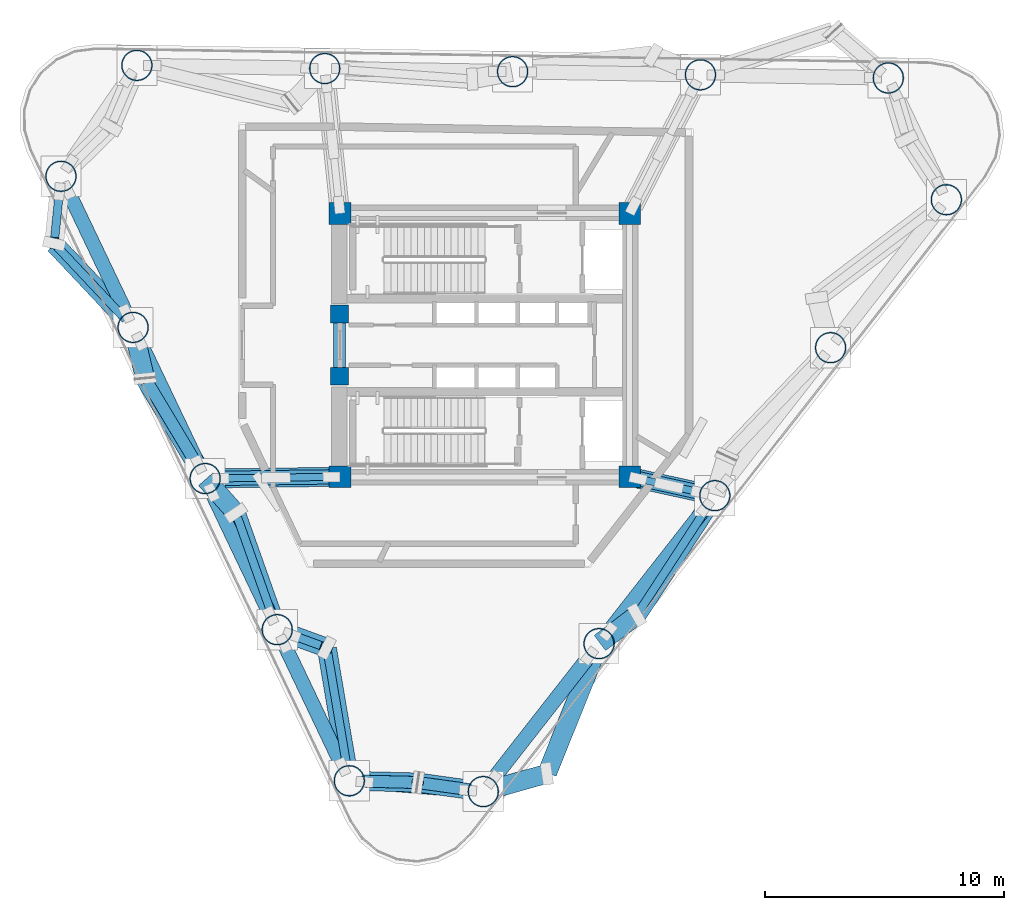
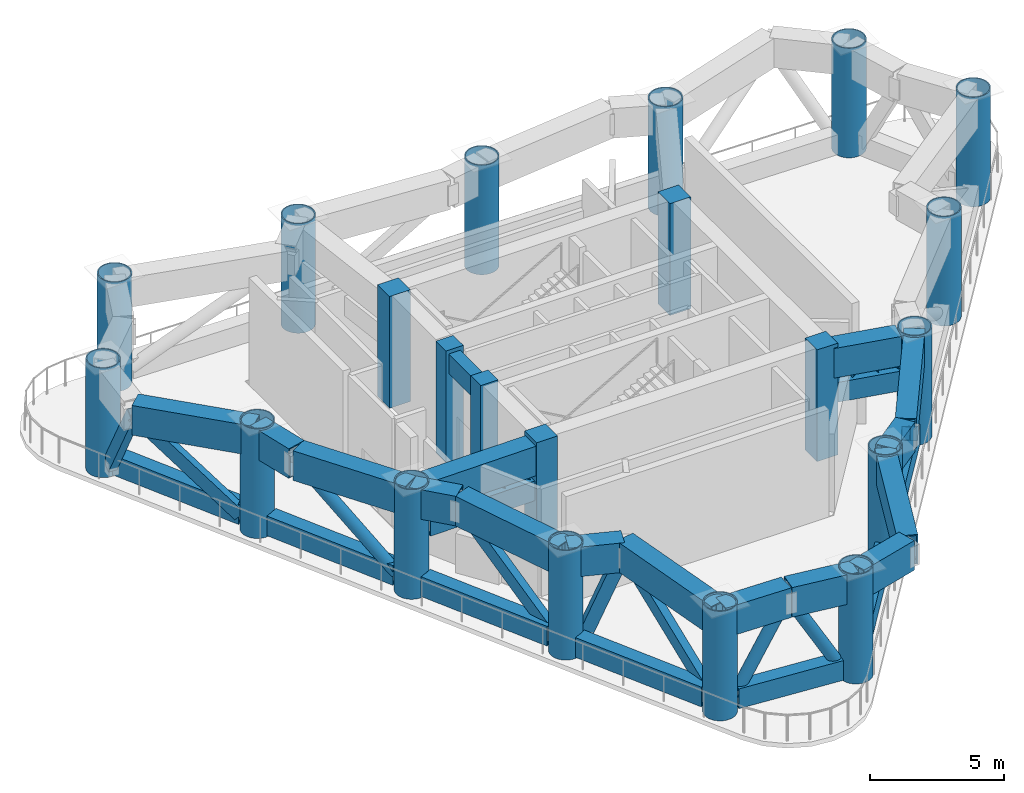
# One storey, part 1 of 9: 22 members, 21 columns, 16 beams.
"""IFC4 building model written with IfcOpenShell, lengths in metres."""

from ifc_helpers import new_model, si_unit, direction, frame, origin, origin_2d, place, context, subcontext, project, spatial, rectangle, hollow_rectangle, hollow_circle, i_section, extrude, source, transform, mapped, material, material_profile, profile_set, type_object, element, save


model = new_model("IFC4")

# Units and contexts
model_context = context("Model", 3, precision=1e-05, world=origin(), true_north=direction((0.0, 1.0)))
body_context = subcontext(model_context, "Body", "Model", "MODEL_VIEW")
ifc_project = project(units=[si_unit("LENGTHUNIT", "METRE"), si_unit("AREAUNIT", "SQUARE_METRE"), si_unit("VOLUMEUNIT", "CUBIC_METRE"), si_unit("PLANEANGLEUNIT", "RADIAN"), si_unit("MASSUNIT", "GRAM", prefix="KILO")], contexts=[model_context])

# Site, building, storey
site_placement = place(None, origin())
site = spatial("IfcSite", under=ifc_project, at=site_placement, CompositionType="ELEMENT")
building_placement = place(site_placement, origin())
building = spatial("IfcBuilding", under=site, at=building_placement, Name="Yunling Apex Tower", CompositionType="ELEMENT")
storey_placement = place(building_placement, frame((0.0, 0.0, 153.64990234375)))
storey = spatial("IfcBuildingStorey", under=building, at=storey_placement, Name="RF4", CompositionType="ELEMENT", Elevation=153.64990234375)

# Columns
ifc_material_1 = material(Name="Concrete C60", Category="concrete")
ifc_material_profile_1 = material_profile(ifc_material_1, rectangle(XDim=0.89990234375, YDim=0.89990234375, at=origin_2d()))
ifc_profile_set_1 = profile_set([ifc_material_profile_1], Name="Concrete C60")
column_type_1 = type_object("IfcColumnType", Name="PC-SRC-3", PredefinedType="COLUMN", material=ifc_profile_set_1)
shared_shape_1 = source(origin(), body_context, "Body", "SweptSolid", [
    extrude(rectangle(XDim=0.89990234375, YDim=0.89990234375, at=origin_2d()), origin(), (0.0, 0.0, 1.0), 5.10009765625),
])
for number, where, z_axis, x_axis, name in (
    (1, (-6.050048828125, -5.5, 0.0), (0.0, 0.0, 1.0), (1.0, 0.0, 0.0), "RF4 Core Spine Column CC-SW"),
    (2, (6.050048828125, -5.5, 0.0), (0.0, 0.0, 1.0), (1.0, 0.0, 0.0), "RF4 Core Spine Column CC-SE"),
    (3, (6.050048828125, 5.5, 0.0), (0.0, 0.0, 1.0), (1.0, 0.0, 0.0), "RF4 Core Spine Column CC-NE"),
    (4, (-6.050048828125, 5.5, 0.0), (0.0, 0.0, 1.0), (1.0, 0.0, 0.0), "RF4 Core Spine Column CC-NW"),
):
    element("IfcColumn", number, at=place(storey_placement, frame(where, z_axis=z_axis, x_axis=x_axis)), inside=storey, type_object=column_type_1, Name=name, PredefinedType="COLUMN", context=body_context, shape_type="MappedRepresentation", body=[
        mapped(shared_shape_1, transform((0.0, 0.0, 0.0), scale=1.0)),
    ])
ifc_material_2 = material(Name="Concrete C50", Category="concrete")
ifc_material_profile_2 = material_profile(ifc_material_2, rectangle(XDim=0.75, YDim=0.75, at=origin_2d()))
ifc_profile_set_2 = profile_set([ifc_material_profile_2], Name="Concrete C50")
column_type_2 = type_object("IfcColumnType", Name="PC-SRC-4", PredefinedType="COLUMN", material=ifc_profile_set_2)
shared_shape_2 = source(origin(), body_context, "Body", "SweptSolid", [
    extrude(rectangle(XDim=0.75, YDim=0.75, at=origin_2d()), origin(), (0.0, 0.0, 1.0), 5.10009765625),
])
for number, where, z_axis, x_axis, name in (
    (5, (-6.074951171875, -1.300048828125, 0.0), (0.0, 0.0, 1.0), (1.0, 0.0, 0.0), "RF4 Core West Portal Jamb Column S"),
    (6, (-6.074951171875, 1.300048828125, 0.0), (0.0, 0.0, 1.0), (1.0, 0.0, 0.0), "RF4 Core West Portal Jamb Column N"),
):
    element("IfcColumn", number, at=place(storey_placement, frame(where, z_axis=z_axis, x_axis=x_axis)), inside=storey, type_object=column_type_2, Name=name, PredefinedType="COLUMN", context=body_context, shape_type="MappedRepresentation", body=[
        mapped(shared_shape_2, transform((0.0, 0.0, 0.0), scale=1.0)),
    ])
ifc_material_3 = material(Name="Steel Q390GJC", Category="steel")
ifc_material_profile_3 = material_profile(ifc_material_3, hollow_circle(Radius=0.64990234375, WallThickness=0.044921875, at=origin_2d()))
ifc_profile_set_3 = profile_set([ifc_material_profile_3], Name="Steel Q390GJC")
column_type_3 = type_object("IfcColumnType", Name="MC-CFST-3", PredefinedType="COLUMN", material=ifc_profile_set_3)
shared_shape_3 = source(origin(), body_context, "Body", "SweptSolid", [
    extrude(hollow_circle(Radius=0.64990234375, WallThickness=0.044921875, at=origin_2d()), origin(), (0.0, 0.0, 1.0), 5.0),
])
for number, where, z_axis, x_axis, name in (
    (7, (-0.06396484375, -18.654541015625, 0.0), (0.0, 0.0, 1.0), (1.0, 0.0, 0.0), "RF4 Lower-Block CFST Column P01"),
    (8, (4.773193359375, -12.471923828125, 0.0), (0.0, 0.0, 1.0), (1.0, 0.0, 0.0), "RF4 Lower-Block CFST Column P02"),
    (9, (9.610595703125, -6.289306640625, 0.0), (0.0, 0.0, 1.0), (1.0, 0.0, 0.0), "RF4 Lower-Block CFST Column P03"),
    (10, (14.447998046875, -0.106689453125, 0.0), (0.0, 0.0, 1.0), (1.0, 0.0, 0.0), "RF4 Lower-Block CFST Column P04"),
    (11, (19.28515625, 6.075927734375, 0.0), (0.0, 0.0, 1.0), (1.0, 0.0, 0.0), "RF4 Lower-Block CFST Column P05"),
    (12, (16.8583984375, 11.163818359375, 0.0), (0.0, 0.0, 1.0), (1.0, 0.0, 0.0), "RF4 Lower-Block CFST Column P06"),
    (13, (9.009521484375, 11.295166015625, 0.0), (0.0, 0.0, 1.0), (1.0, 0.0, 0.0), "RF4 Lower-Block CFST Column P07"),
    (14, (1.160400390625, 11.4267578125, 0.0), (0.0, 0.0, 1.0), (1.0, 0.0, 0.0), "RF4 Lower-Block CFST Column P08"),
    (15, (-6.6884765625, 11.558349609375, 0.0), (0.0, 0.0, 1.0), (1.0, 0.0, 0.0), "RF4 Lower-Block CFST Column P09"),
    (16, (-14.53759765625, 11.68994140625, 0.0), (0.0, 0.0, 1.0), (1.0, 0.0, 0.0), "RF4 Lower-Block CFST Column P10"),
    (17, (-17.70849609375, 7.0546875, 0.0), (0.0, 0.0, 1.0), (1.0, 0.0, 0.0), "RF4 Lower-Block CFST Column P11"),
    (18, (-14.69677734375, 0.740478515625, 0.0), (0.0, 0.0, 1.0), (1.0, 0.0, 0.0), "RF4 Lower-Block CFST Column P12"),
    (19, (-11.685302734375, -5.573486328125, 0.0), (0.0, 0.0, 1.0), (1.0, 0.0, 0.0), "RF4 Lower-Block CFST Column P13"),
    (20, (-8.673583984375, -11.8876953125, 0.0), (0.0, 0.0, 1.0), (1.0, 0.0, 0.0), "RF4 Lower-Block CFST Column P14"),
    (21, (-5.661865234375, -18.201904296875, 0.0), (0.0, 0.0, 1.0), (1.0, 0.0, 0.0), "RF4 Lower-Block CFST Column P15"),
):
    element("IfcColumn", number, at=place(storey_placement, frame(where, z_axis=z_axis, x_axis=x_axis)), inside=storey, type_object=column_type_3, Name=name, PredefinedType="COLUMN", context=body_context, shape_type="MappedRepresentation", body=[
        mapped(shared_shape_3, transform((0.0, 0.0, 0.0), scale=1.0)),
    ])

# Beam
ifc_material_profile_4 = material_profile(ifc_material_2, rectangle(XDim=0.5, YDim=0.89990234375, at=origin_2d()))
ifc_profile_set_4 = profile_set([ifc_material_profile_4], Name="Concrete C50")
beam_type_1 = type_object("IfcBeamType", Name="BC-CPL-2", PredefinedType="BEAM", material=ifc_profile_set_4)
shared_shape_4 = source(origin(), body_context, "Body", "SweptSolid", [
    extrude(rectangle(XDim=0.5, YDim=0.89990234375, at=origin_2d()), origin(), (0.0, 0.0, 1.0), 2.5),
])
beam_1_placement = place(storey_placement, frame((-6.074951171875, -1.25, 4.47021484375), z_axis=(0.0, 1.0, 0.0), x_axis=(-1.0, 0.0, 0.0)))
element("IfcBeam", 22, at=beam_1_placement, inside=storey, type_object=beam_type_1, Name="RF4 Core West Portal Coupling Beam", PredefinedType="BEAM", context=body_context, shape_type="MappedRepresentation", body=[
    mapped(shared_shape_4, transform((0.0, 0.0, 0.0), scale=1.0)),
])

# Members
ifc_material_profile_5 = material_profile(ifc_material_3, hollow_rectangle(XDim=0.60009765625, YDim=0.89990234375, WallThickness=0.0419921875, at=origin_2d()))
ifc_profile_set_5 = profile_set([ifc_material_profile_5], Name="Steel Q390GJC")
member_type_1 = type_object("IfcMemberType", Name="BT-CHD-1", PredefinedType="CHORD", material=ifc_profile_set_5)
shared_shape_5 = source(origin(), body_context, "Body", "SweptSolid", [
    extrude(hollow_rectangle(XDim=0.60009765625, YDim=0.89990234375, WallThickness=0.0419921875, at=origin_2d()), origin(), (0.0, 0.0, 1.0), 6.566162109375),
])
for number, where, z_axis, x_axis, name in (
    (23, (0.33154296875, -18.14892578125, 0.550048828125), (0.616211009366, 0.787581101815, 0.0), (-0.787581101815, 0.616211009366, 0.0), "RF4 Belt-Truss Bottom Chord 1"),
    (24, (5.1689453125, -11.96630859375, 0.550048828125), (0.616211009366, 0.787581101815, 0.0), (-0.787581101815, 0.616211009366, 0.0), "RF4 Belt-Truss Bottom Chord 2"),
):
    element("IfcMember", number, at=place(storey_placement, frame(where, z_axis=z_axis, x_axis=x_axis)), inside=storey, type_object=member_type_1, Name=name, PredefinedType="CHORD", context=body_context, shape_type="MappedRepresentation", body=[
        mapped(shared_shape_5, transform((0.0, 0.0, 0.0), scale=1.0)),
    ])
shared_shape_6 = source(origin(), body_context, "Body", "SweptSolid", [
    extrude(hollow_rectangle(XDim=0.60009765625, YDim=0.89990234375, WallThickness=0.0419921875, at=origin_2d()), origin(), (0.0, 0.0, 1.0), 5.711669921875),
])
for number, where, z_axis, x_axis, name in (
    (25, (-17.43212890625, 6.475341796875, 0.550048828125), (0.430517526702, -0.90258221742, 0.0), (0.90258221742, 0.430517526702, 0.0), "RF4 Belt-Truss Bottom Chord 11"),
    (26, (-14.42041015625, 0.1611328125, 0.550048828125), (0.430482704146, -0.902598826407, 0.0), (0.902598826407, 0.430482704146, 0.0), "RF4 Belt-Truss Bottom Chord 12"),
):
    element("IfcMember", number, at=place(storey_placement, frame(where, z_axis=z_axis, x_axis=x_axis)), inside=storey, type_object=member_type_1, Name=name, PredefinedType="CHORD", context=body_context, shape_type="MappedRepresentation", body=[
        mapped(shared_shape_6, transform((0.0, 0.0, 0.0), scale=1.0)),
    ])
shared_shape_7 = source(origin(), body_context, "Body", "SweptSolid", [
    extrude(hollow_rectangle(XDim=0.60009765625, YDim=0.89990234375, WallThickness=0.0419921875, at=origin_2d()), origin(), (0.0, 0.0, 1.0), 5.71142578125),
])
for number, where, z_axis, x_axis, name in (
    (27, (-11.40869140625, -6.153076171875, 0.550048828125), (0.430499313335, -0.902590904684, 0.0), (0.902590904684, 0.430499313335, 0.0), "RF4 Belt-Truss Bottom Chord 13"),
    (28, (-8.397216796875, -12.46728515625, 0.550048828125), (0.430534136624, -0.902574294561, 0.0), (0.902574294561, 0.430534136624, 0.0), "RF4 Belt-Truss Bottom Chord 14"),
):
    element("IfcMember", number, at=place(storey_placement, frame(where, z_axis=z_axis, x_axis=x_axis)), inside=storey, type_object=member_type_1, Name=name, PredefinedType="CHORD", context=body_context, shape_type="MappedRepresentation", body=[
        mapped(shared_shape_7, transform((0.0, 0.0, 0.0), scale=1.0)),
    ])
shared_shape_8 = source(origin(), body_context, "Body", "SweptSolid", [
    extrude(hollow_rectangle(XDim=0.60009765625, YDim=0.89990234375, WallThickness=0.0419921875, at=origin_2d()), origin(), (0.0, 0.0, 1.0), 4.332275390625),
])
member_1_placement = place(storey_placement, frame((-5.02197265625, -18.253662109375, 0.550048828125), z_axis=(0.996747547855, -0.080587380191, 0.0), x_axis=(0.080587380191, 0.996747547855, 0.0)))
element("IfcMember", 29, at=member_1_placement, inside=storey, type_object=member_type_1, Name="RF4 Belt-Truss Bottom Chord 15", PredefinedType="CHORD", context=body_context, shape_type="MappedRepresentation", body=[
    mapped(shared_shape_8, transform((0.0, 0.0, 0.0), scale=1.0)),
])

# Beams
ifc_material_profile_6 = material_profile(ifc_material_3, hollow_rectangle(XDim=0.800048828125, YDim=1.35009765625, WallThickness=0.050048828125, at=origin_2d()))
ifc_profile_set_6 = profile_set([ifc_material_profile_6], Name="Steel Q390GJC")
beam_type_2 = type_object("IfcBeamType", Name="BTRNG-1", PredefinedType="USERDEFINED", material=ifc_profile_set_6)
shared_shape_9 = source(origin(), body_context, "Body", "SweptSolid", [
    extrude(hollow_rectangle(XDim=0.800048828125, YDim=1.35009765625, WallThickness=0.050048828125, at=origin_2d()), origin(), (0.0, 0.0, 1.0), 4.804443359375),
])
beam_2_placement = place(storey_placement, frame((-14.177001953125, -1.419189453125, 4.2451171875), z_axis=(0.514361235716, -0.857573623191, 0.0), x_axis=(0.857573623191, 0.514361235716, 0.0)))
element("IfcBeam", 30, at=beam_2_placement, inside=storey, type_object=beam_type_2, Name="RF4 Panel-Split Box Ring Transfer Girder 1", ObjectType="GIRDER", PredefinedType="USERDEFINED", context=body_context, shape_type="MappedRepresentation", body=[
    mapped(shared_shape_9, transform((0.0, 0.0, 0.0), scale=1.0)),
])
shared_shape_10 = source(origin(), body_context, "Body", "SweptSolid", [
    extrude(hollow_rectangle(XDim=0.800048828125, YDim=1.35009765625, WallThickness=0.050048828125, at=origin_2d()), origin(), (0.0, 0.0, 1.0), 1.851318359375),
])
beam_3_placement = place(storey_placement, frame((-11.65869140625, -5.603515625, 4.2451171875), z_axis=(0.665598965394, -0.746309598804, 0.0), x_axis=(0.746309598804, 0.665598965394, 0.0)))
element("IfcBeam", 31, at=beam_3_placement, inside=storey, type_object=beam_type_2, Name="RF4 Panel-Split Box Ring Transfer Girder 2", ObjectType="GIRDER", PredefinedType="USERDEFINED", context=body_context, shape_type="MappedRepresentation", body=[
    mapped(shared_shape_10, transform((0.0, 0.0, 0.0), scale=1.0)),
])
shared_shape_11 = source(origin(), body_context, "Body", "SweptSolid", [
    extrude(hollow_rectangle(XDim=0.800048828125, YDim=1.35009765625, WallThickness=0.050048828125, at=origin_2d()), origin(), (0.0, 0.0, 1.0), 5.08984375),
])
beam_4_placement = place(storey_placement, frame((-10.38671875, -7.052490234375, 4.2451171875), z_axis=(0.333943924748, -0.942592942433, 0.0), x_axis=(0.942592942433, 0.333943924748, 0.0)))
element("IfcBeam", 32, at=beam_4_placement, inside=storey, type_object=beam_type_2, Name="RF4 Panel-Split Box Ring Transfer Girder 3", ObjectType="GIRDER", PredefinedType="USERDEFINED", context=body_context, shape_type="MappedRepresentation", body=[
    mapped(shared_shape_11, transform((0.0, 0.0, 0.0), scale=1.0)),
])
shared_shape_12 = source(origin(), body_context, "Body", "SweptSolid", [
    extrude(hollow_rectangle(XDim=0.800048828125, YDim=1.35009765625, WallThickness=0.050048828125, at=origin_2d()), origin(), (0.0, 0.0, 1.0), 2.125),
])
beam_5_placement = place(storey_placement, frame((-8.635986328125, -11.9013671875, 4.2451171875), z_axis=(0.939191547835, -0.343393704768, 0.0), x_axis=(0.343393704768, 0.939191547835, 0.0)))
element("IfcBeam", 33, at=beam_5_placement, inside=storey, type_object=beam_type_2, Name="RF4 Panel-Split Box Ring Transfer Girder 4", ObjectType="GIRDER", PredefinedType="USERDEFINED", context=body_context, shape_type="MappedRepresentation", body=[
    mapped(shared_shape_12, transform((0.0, 0.0, 0.0), scale=1.0)),
])
shared_shape_13 = source(origin(), body_context, "Body", "SweptSolid", [
    extrude(hollow_rectangle(XDim=0.800048828125, YDim=1.35009765625, WallThickness=0.050048828125, at=origin_2d()), origin(), (0.0, 0.0, 1.0), 5.55615234375),
])
beam_6_placement = place(storey_placement, frame((-6.595703125, -12.684326171875, 4.2451171875), z_axis=(0.166885248152, -0.985976325248, 0.0), x_axis=(0.985976325248, 0.166885248152, 0.0)))
element("IfcBeam", 34, at=beam_6_placement, inside=storey, type_object=beam_type_2, Name="RF4 Panel-Split Box Ring Transfer Girder 5", ObjectType="GIRDER", PredefinedType="USERDEFINED", context=body_context, shape_type="MappedRepresentation", body=[
    mapped(shared_shape_13, transform((0.0, 0.0, 0.0), scale=1.0)),
])
shared_shape_14 = source(origin(), body_context, "Body", "SweptSolid", [
    extrude(hollow_rectangle(XDim=0.800048828125, YDim=1.35009765625, WallThickness=0.050048828125, at=origin_2d()), origin(), (0.0, 0.0, 1.0), 2.77783203125),
])
beam_7_placement = place(storey_placement, frame((-5.621826171875, -18.202880859375, 4.2451171875), z_axis=(0.999672873001, -0.025576297349, 0.0), x_axis=(0.025576297349, 0.999672873001, 0.0)))
element("IfcBeam", 35, at=beam_7_placement, inside=storey, type_object=beam_type_2, Name="RF4 Panel-Split Box Ring Transfer Girder 6", ObjectType="GIRDER", PredefinedType="USERDEFINED", context=body_context, shape_type="MappedRepresentation", body=[
    mapped(shared_shape_14, transform((0.0, 0.0, 0.0), scale=1.0)),
])
shared_shape_15 = source(origin(), body_context, "Body", "SweptSolid", [
    extrude(hollow_rectangle(XDim=0.800048828125, YDim=1.35009765625, WallThickness=0.050048828125, at=origin_2d()), origin(), (0.0, 0.0, 1.0), 2.687255859375),
])
beam_8_placement = place(storey_placement, frame((-2.765380859375, -18.280517578125, 4.2451171875), z_axis=(0.990557840476, -0.137095458248, 0.0), x_axis=(0.137095458248, 0.990557840476, 0.0)))
element("IfcBeam", 36, at=beam_8_placement, inside=storey, type_object=beam_type_2, Name="RF4 Panel-Split Box Ring Transfer Girder 7", ObjectType="GIRDER", PredefinedType="USERDEFINED", context=body_context, shape_type="MappedRepresentation", body=[
    mapped(shared_shape_15, transform((0.0, 0.0, 0.0), scale=1.0)),
])
shared_shape_16 = source(origin(), body_context, "Body", "SweptSolid", [
    extrude(hollow_rectangle(XDim=0.800048828125, YDim=1.35009765625, WallThickness=0.050048828125, at=origin_2d()), origin(), (0.0, 0.0, 1.0), 2.681396484375),
])
beam_9_placement = place(storey_placement, frame((-0.025390625, -18.643798828125, 4.2451171875), z_axis=(0.96274432059, 0.270413337635, 0.0), x_axis=(-0.270413337635, 0.96274432059, 0.0)))
element("IfcBeam", 37, at=beam_9_placement, inside=storey, type_object=beam_type_2, Name="RF4 Panel-Split Box Ring Transfer Girder 8", ObjectType="GIRDER", PredefinedType="USERDEFINED", context=body_context, shape_type="MappedRepresentation", body=[
    mapped(shared_shape_16, transform((0.0, 0.0, 0.0), scale=1.0)),
])
shared_shape_17 = source(origin(), body_context, "Body", "SweptSolid", [
    extrude(hollow_rectangle(XDim=0.800048828125, YDim=1.35009765625, WallThickness=0.050048828125, at=origin_2d()), origin(), (0.0, 0.0, 1.0), 5.7763671875),
])
beam_10_placement = place(storey_placement, frame((2.609619140625, -17.870849609375, 4.2451171875), z_axis=(0.371980864362, 0.928240398037, 0.0), x_axis=(-0.928240398037, 0.371980864362, 0.0)))
element("IfcBeam", 38, at=beam_10_placement, inside=storey, type_object=beam_type_2, Name="RF4 Panel-Split Box Ring Transfer Girder 9", ObjectType="GIRDER", PredefinedType="USERDEFINED", context=body_context, shape_type="MappedRepresentation", body=[
    mapped(shared_shape_17, transform((0.0, 0.0, 0.0), scale=1.0)),
])
shared_shape_18 = source(origin(), body_context, "Body", "SweptSolid", [
    extrude(hollow_rectangle(XDim=0.800048828125, YDim=1.35009765625, WallThickness=0.050048828125, at=origin_2d()), origin(), (0.0, 0.0, 1.0), 1.8994140625),
])
beam_11_placement = place(storey_placement, frame((4.80517578125, -12.44775390625, 4.2451171875), z_axis=(0.7975718477, 0.603223961524, 0.0), x_axis=(-0.603223961524, 0.7975718477, 0.0)))
element("IfcBeam", 39, at=beam_11_placement, inside=storey, type_object=beam_type_2, Name="RF4 Panel-Split Box Ring Transfer Girder 10", ObjectType="GIRDER", PredefinedType="USERDEFINED", context=body_context, shape_type="MappedRepresentation", body=[
    mapped(shared_shape_18, transform((0.0, 0.0, 0.0), scale=1.0)),
])
shared_shape_19 = source(origin(), body_context, "Body", "SweptSolid", [
    extrude(hollow_rectangle(XDim=0.800048828125, YDim=1.35009765625, WallThickness=0.050048828125, at=origin_2d()), origin(), (0.0, 0.0, 1.0), 5.878662109375),
])
beam_12_placement = place(storey_placement, frame((6.373779296875, -11.244384765625, 4.2451171875), z_axis=(0.546874457107, 0.83721462491, 0.0), x_axis=(-0.83721462491, 0.546874457107, 0.0)))
element("IfcBeam", 40, at=beam_12_placement, inside=storey, type_object=beam_type_2, Name="RF4 Panel-Split Box Ring Transfer Girder 11", ObjectType="GIRDER", PredefinedType="USERDEFINED", context=body_context, shape_type="MappedRepresentation", body=[
    mapped(shared_shape_19, transform((0.0, 0.0, 0.0), scale=1.0)),
])
shared_shape_20 = source(origin(), body_context, "Body", "SweptSolid", [
    extrude(hollow_rectangle(XDim=0.800048828125, YDim=1.35009765625, WallThickness=0.050048828125, at=origin_2d()), origin(), (0.0, 0.0, 1.0), 4.732421875),
])
beam_13_placement = place(storey_placement, frame((-17.967529296875, 4.216064453125, 4.2451171875), z_axis=(0.685346997955, -0.728216652099, 0.0), x_axis=(0.728216652099, 0.685346997955, 0.0)))
element("IfcBeam", 41, at=beam_13_placement, inside=storey, type_object=beam_type_2, Name="RF4 Panel-Split Box Ring Transfer Girder 29", ObjectType="GIRDER", PredefinedType="USERDEFINED", context=body_context, shape_type="MappedRepresentation", body=[
    mapped(shared_shape_20, transform((0.0, 0.0, 0.0), scale=1.0)),
])
shared_shape_21 = source(origin(), body_context, "Body", "SweptSolid", [
    extrude(hollow_rectangle(XDim=0.800048828125, YDim=1.35009765625, WallThickness=0.050048828125, at=origin_2d()), origin(), (0.0, 0.0, 1.0), 2.103271484375),
])
beam_14_placement = place(storey_placement, frame((-14.687744140625, 0.70166015625, 4.2451171875), z_axis=(0.228774076607, -0.973479543633, 0.0), x_axis=(0.973479543633, 0.228774076607, 0.0)))
element("IfcBeam", 42, at=beam_14_placement, inside=storey, type_object=beam_type_2, Name="RF4 Panel-Split Box Ring Transfer Girder 30", ObjectType="GIRDER", PredefinedType="USERDEFINED", context=body_context, shape_type="MappedRepresentation", body=[
    mapped(shared_shape_21, transform((0.0, 0.0, 0.0), scale=1.0)),
])

# Members
ifc_material_4 = material(Name="Steel Q355B", Category="steel")
ifc_material_profile_7 = material_profile(ifc_material_4, hollow_rectangle(XDim=0.35009765625, YDim=0.550048828125, WallThickness=0.02587890625, at=origin_2d()))
ifc_profile_set_7 = profile_set([ifc_material_profile_7], Name="Steel Q355B")
member_type_2 = type_object("IfcMemberType", Name="BR-BLT-1", PredefinedType="BRACE", material=ifc_profile_set_7)
shared_shape_22 = source(origin(), body_context, "Body", "SweptSolid", [
    extrude(hollow_rectangle(XDim=0.35009765625, YDim=0.550048828125, WallThickness=0.02587890625, at=origin_2d()), origin(), (0.0, 0.0, 1.0), 6.459716796875),
])
member_2_placement = place(storey_placement, frame((9.260498046875, -6.8251953125, 0.550048828125), z_axis=(-0.44857710521, -0.686717162496, 0.572012342013), x_axis=(0.837209799515, -0.546881844273, 0.0)))
element("IfcMember", 43, at=member_2_placement, inside=storey, type_object=member_type_2, Name="RF4 Belt-Truss Diagonal 2-1", PredefinedType="BRACE", context=body_context, shape_type="MappedRepresentation", body=[
    mapped(shared_shape_22, transform((0.0, 0.0, 0.0), scale=1.0)),
])
shared_shape_23 = source(origin(), body_context, "Body", "SweptSolid", [
    extrude(hollow_rectangle(XDim=0.35009765625, YDim=0.550048828125, WallThickness=0.02587890625, at=origin_2d()), origin(), (0.0, 0.0, 1.0), 4.2822265625),
])
member_3_placement = place(storey_placement, frame((-17.7734375, 6.418212890625, 0.550048828125), z_axis=(-0.051254310343, -0.502793952078, 0.862885413844), x_axis=(0.994844367293, -0.101413435332, 0.0)))
element("IfcMember", 44, at=member_3_placement, inside=storey, type_object=member_type_2, Name="RF4 Belt-Truss Diagonal 11-1", PredefinedType="BRACE", context=body_context, shape_type="MappedRepresentation", body=[
    mapped(shared_shape_23, transform((0.0, 0.0, 0.0), scale=1.0)),
])
shared_shape_24 = source(origin(), body_context, "Body", "SweptSolid", [
    extrude(hollow_rectangle(XDim=0.35009765625, YDim=0.550048828125, WallThickness=0.02587890625, at=origin_2d()), origin(), (0.0, 0.0, 1.0), 5.558349609375),
])
member_4_placement = place(storey_placement, frame((-15.135498046875, 1.206787109375, 0.550048828125), z_axis=(-0.511965488729, 0.544029216146, 0.664773307474), x_axis=(-0.728241417937, -0.685320682018, 0.0)))
element("IfcMember", 45, at=member_4_placement, inside=storey, type_object=member_type_2, Name="RF4 Belt-Truss Diagonal 11-2", PredefinedType="BRACE", context=body_context, shape_type="MappedRepresentation", body=[
    mapped(shared_shape_24, transform((0.0, 0.0, 0.0), scale=1.0)),
])
ifc_material_profile_8 = material_profile(ifc_material_4, hollow_circle(Radius=0.25390625, WallThickness=0.02001953125, at=origin_2d()))
ifc_profile_set_8 = profile_set([ifc_material_profile_8], Name="Steel Q355B")
member_type_3 = type_object("IfcMemberType", Name="BR-PER-2", PredefinedType="BRACE", material=ifc_profile_set_8)
shared_shape_25 = source(origin(), body_context, "Body", "SweptSolid", [
    extrude(hollow_circle(Radius=0.25390625, WallThickness=0.02001953125, at=origin_2d()), origin(), (0.0, 0.0, 1.0), 5.6123046875),
])
member_5_placement = place(storey_placement, frame((-12.014404296875, -5.024658203125, 0.550048828125), z_axis=(-0.387159863707, 0.645469444684, 0.658389273844), x_axis=(-0.857564311455, -0.514376760477, 0.0)))
element("IfcMember", 46, at=member_5_placement, inside=storey, type_object=member_type_3, Name="RF4 Belt-Truss Diagonal 12-1", PredefinedType="BRACE", context=body_context, shape_type="MappedRepresentation", body=[
    mapped(shared_shape_25, transform((0.0, 0.0, 0.0), scale=1.0)),
])
shared_shape_26 = source(origin(), body_context, "Body", "SweptSolid", [
    extrude(hollow_rectangle(XDim=0.35009765625, YDim=0.550048828125, WallThickness=0.02587890625, at=origin_2d()), origin(), (0.0, 0.0, 1.0), 5.830078125),
])
member_6_placement = place(storey_placement, frame((-8.88720703125, -11.284423828125, 0.550048828125), z_axis=(-0.258330319256, 0.729095345853, 0.633786575124), x_axis=(-0.942582850637, -0.333972408568, 0.0)))
element("IfcMember", 47, at=member_6_placement, inside=storey, type_object=member_type_2, Name="RF4 Belt-Truss Diagonal 13-1", PredefinedType="BRACE", context=body_context, shape_type="MappedRepresentation", body=[
    mapped(shared_shape_26, transform((0.0, 0.0, 0.0), scale=1.0)),
])
shared_shape_27 = source(origin(), body_context, "Body", "SweptSolid", [
    extrude(hollow_rectangle(XDim=0.35009765625, YDim=0.550048828125, WallThickness=0.02587890625, at=origin_2d()), origin(), (0.0, 0.0, 1.0), 4.005126953125),
])
member_7_placement = place(storey_placement, frame((-8.072509765625, -12.107421875, 0.550048828125), z_axis=(0.362330399481, -0.132460289043, 0.922589265838), x_axis=(0.3433537924, 0.93920613991, 0.0)))
element("IfcMember", 48, at=member_7_placement, inside=storey, type_object=member_type_2, Name="RF4 Belt-Truss Diagonal 14-1", PredefinedType="BRACE", context=body_context, shape_type="MappedRepresentation", body=[
    mapped(shared_shape_27, transform((0.0, 0.0, 0.0), scale=1.0)),
])
shared_shape_28 = source(origin(), body_context, "Body", "SweptSolid", [
    extrude(hollow_rectangle(XDim=0.35009765625, YDim=0.550048828125, WallThickness=0.02587890625, at=origin_2d()), origin(), (0.0, 0.0, 1.0), 6.197998046875),
])
member_8_placement = place(storey_placement, frame((-5.7685546875, -17.57080078125, 0.550048828125), z_axis=(-0.134006500378, 0.79159160247, 0.596175303711), x_axis=(-0.985971694513, -0.166912604734, 0.0)))
element("IfcMember", 49, at=member_8_placement, inside=storey, type_object=member_type_2, Name="RF4 Belt-Truss Diagonal 14-2", PredefinedType="BRACE", context=body_context, shape_type="MappedRepresentation", body=[
    mapped(shared_shape_28, transform((0.0, 0.0, 0.0), scale=1.0)),
])
shared_shape_29 = source(origin(), body_context, "Body", "SweptSolid", [
    extrude(hollow_circle(Radius=0.25390625, WallThickness=0.02001953125, at=origin_2d()), origin(), (0.0, 0.0, 1.0), 4.253662109375),
])
member_9_placement = place(storey_placement, frame((-0.697998046875, -18.566650390625, 0.550048828125), z_axis=(-0.490677650306, 0.067956759617, 0.868687125674), x_axis=(-0.137186290051, -0.990545264903, 0.0)))
element("IfcMember", 50, at=member_9_placement, inside=storey, type_object=member_type_3, Name="RF4 Belt-Truss Diagonal 15-1", PredefinedType="BRACE", context=body_context, shape_type="MappedRepresentation", body=[
    mapped(shared_shape_29, transform((0.0, 0.0, 0.0), scale=1.0)),
])
shared_shape_30 = source(origin(), body_context, "Body", "SweptSolid", [
    extrude(hollow_circle(Radius=0.25390625, WallThickness=0.02001953125, at=origin_2d()), origin(), (0.0, 0.0, 1.0), 4.29931640625),
])
member_10_placement = place(storey_placement, frame((-5.02197265625, -18.21826171875, 0.550048828125), z_axis=(0.511023861954, -0.013060949911, 0.859467290885), x_axis=(0.025550051689, 0.999673544143, 0.0)))
element("IfcMember", 51, at=member_10_placement, inside=storey, type_object=member_type_3, Name="RF4 Belt-Truss Diagonal 15-2", PredefinedType="BRACE", context=body_context, shape_type="MappedRepresentation", body=[
    mapped(shared_shape_30, transform((0.0, 0.0, 0.0), scale=1.0)),
])

# Beam
shared_shape_31 = source(origin(), body_context, "Body", "SweptSolid", [
    extrude(hollow_rectangle(XDim=0.800048828125, YDim=1.35009765625, WallThickness=0.050048828125, at=origin_2d()), origin(), (0.0, 0.0, 1.0), 4.635986328125),
])
beam_15_placement = place(storey_placement, frame((-6.409912109375, -5.504638671875, 4.2451171875), z_axis=(-0.999914708628, -0.013060454402, 0.0), x_axis=(0.013060454402, -0.999914708628, 0.0)))
element("IfcBeam", 52, at=beam_15_placement, inside=storey, type_object=beam_type_2, Name="RF4 Radial Outrigger Top Girder 1", ObjectType="GIRDER", PredefinedType="USERDEFINED", context=body_context, shape_type="MappedRepresentation", body=[
    mapped(shared_shape_31, transform((0.0, 0.0, 0.0), scale=1.0)),
])

# Members
shared_shape_32 = source(origin(), body_context, "Body", "SweptSolid", [
    extrude(hollow_rectangle(XDim=0.60009765625, YDim=0.89990234375, WallThickness=0.0419921875, at=origin_2d()), origin(), (0.0, 0.0, 1.0), 4.635986328125),
])
member_11_placement = place(storey_placement, frame((-6.409912109375, -5.504638671875, 2.820068359375), z_axis=(-0.999914708628, -0.013060454402, 0.0), x_axis=(0.013060454402, -0.999914708628, 0.0)))
element("IfcMember", 53, at=member_11_placement, inside=storey, type_object=member_type_1, Name="RF4 Radial Outrigger Lower Chord 1", PredefinedType="CHORD", context=body_context, shape_type="MappedRepresentation", body=[
    mapped(shared_shape_32, transform((0.0, 0.0, 0.0), scale=1.0)),
])
ifc_material_profile_9 = material_profile(ifc_material_4, i_section(OverallWidth=0.300048828125, OverallDepth=0.590087890625, WebThickness=0.011962890625, FlangeThickness=0.02001953125, FilletRadius=0.02392578125, at=origin_2d()))
ifc_profile_set_9 = profile_set([ifc_material_profile_9], Name="Steel Q355B")
member_type_4 = type_object("IfcMemberType", Name="BR-OUT-1", PredefinedType="BRACE", material=ifc_profile_set_9)
shared_shape_33 = source(origin(), body_context, "Body", "SweptSolid", [
    extrude(i_section(OverallWidth=0.300048828125, OverallDepth=0.590087890625, WebThickness=0.011962890625, FlangeThickness=0.02001953125, FilletRadius=0.02392578125, at=origin_2d()), origin(), (0.0, 0.0, 1.0), 2.720947265625),
])
for number, where, z_axis, x_axis, name in (
    (54, (-6.409912109375, -5.504638671875, 2.820068359375), (-0.851824254808, -0.011125574847, 0.523709519203), (0.013059766693, -0.99991471761, 0.0), "RF4 Outrigger Inner Diagonal 1A"),
    (55, (-8.727783203125, -5.534912109375, 4.2451171875), (-0.851799632575, -0.011126425202, -0.523749547597), (0.013061142184, -0.999914699644, 0.0), "RF4 Outrigger Outer Diagonal 1B"),
):
    element("IfcMember", number, at=place(storey_placement, frame(where, z_axis=z_axis, x_axis=x_axis)), inside=storey, type_object=member_type_4, Name=name, PredefinedType="BRACE", context=body_context, shape_type="MappedRepresentation", body=[
        mapped(shared_shape_33, transform((0.0, 0.0, 0.0), scale=1.0)),
    ])

# Beam
shared_shape_34 = source(origin(), body_context, "Body", "SweptSolid", [
    extrude(hollow_rectangle(XDim=0.800048828125, YDim=1.35009765625, WallThickness=0.050048828125, at=origin_2d()), origin(), (0.0, 0.0, 1.0), 2.64697265625),
])
beam_16_placement = place(storey_placement, frame((6.401611328125, -5.577880859375, 4.2451171875), z_axis=(0.976288951399, -0.216471437783, 0.0), x_axis=(0.216471437783, 0.976288951399, 0.0)))
element("IfcBeam", 56, at=beam_16_placement, inside=storey, type_object=beam_type_2, Name="RF4 Radial Outrigger Top Girder 2", ObjectType="GIRDER", PredefinedType="USERDEFINED", context=body_context, shape_type="MappedRepresentation", body=[
    mapped(shared_shape_34, transform((0.0, 0.0, 0.0), scale=1.0)),
])

# Members
shared_shape_35 = source(origin(), body_context, "Body", "SweptSolid", [
    extrude(hollow_rectangle(XDim=0.60009765625, YDim=0.89990234375, WallThickness=0.0419921875, at=origin_2d()), origin(), (0.0, 0.0, 1.0), 2.64697265625),
])
member_12_placement = place(storey_placement, frame((6.401611328125, -5.577880859375, 2.820068359375), z_axis=(0.976288951399, -0.216471437783, 0.0), x_axis=(0.216471437783, 0.976288951399, 0.0)))
element("IfcMember", 57, at=member_12_placement, inside=storey, type_object=member_type_1, Name="RF4 Radial Outrigger Lower Chord 2", PredefinedType="CHORD", context=body_context, shape_type="MappedRepresentation", body=[
    mapped(shared_shape_35, transform((0.0, 0.0, 0.0), scale=1.0)),
])
shared_shape_36 = source(origin(), body_context, "Body", "SweptSolid", [
    extrude(i_section(OverallWidth=0.300048828125, OverallDepth=0.590087890625, WebThickness=0.011962890625, FlangeThickness=0.02001953125, FilletRadius=0.02392578125, at=origin_2d()), origin(), (0.0, 0.0, 1.0), 1.94482421875),
])
for number, where, z_axis, x_axis, name in (
    (58, (6.401611328125, -5.577880859375, 2.820068359375), (0.664351610626, -0.147257074691, 0.732770285568), (0.216403010966, 0.976304121084, 0.0), "RF4 Outrigger Inner Diagonal 2A"),
    (59, (7.693603515625, -5.8642578125, 4.2451171875), (0.664409446827, -0.147367596935, -0.732695624623), (0.216539848483, 0.976273780258, 0.0), "RF4 Outrigger Outer Diagonal 2B"),
):
    element("IfcMember", number, at=place(storey_placement, frame(where, z_axis=z_axis, x_axis=x_axis)), inside=storey, type_object=member_type_4, Name=name, PredefinedType="BRACE", context=body_context, shape_type="MappedRepresentation", body=[
        mapped(shared_shape_36, transform((0.0, 0.0, 0.0), scale=1.0)),
    ])

save(model, "model.ifc")
